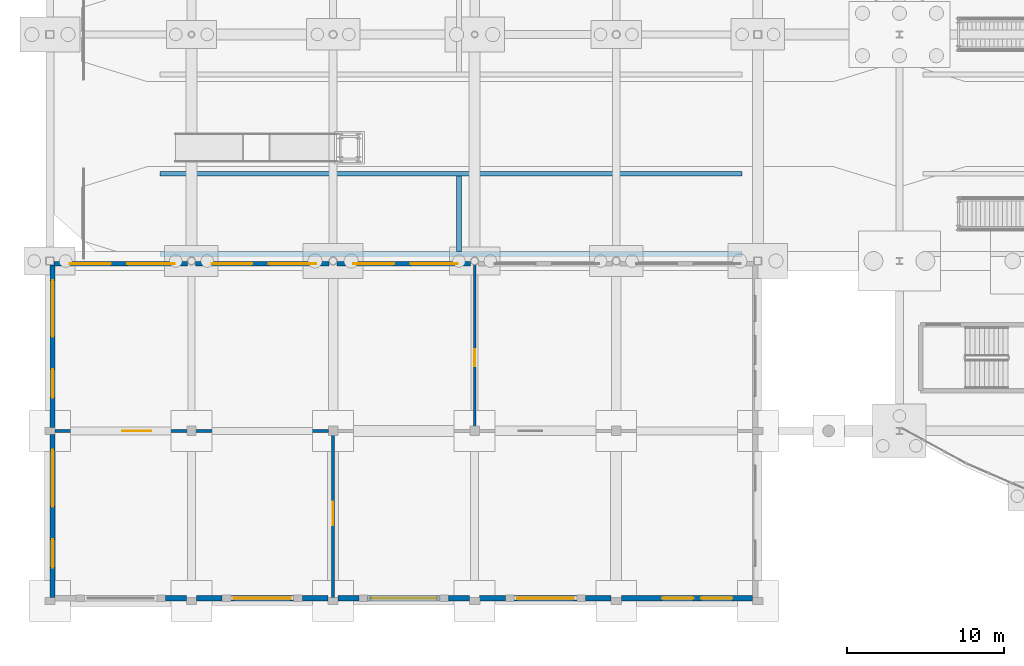
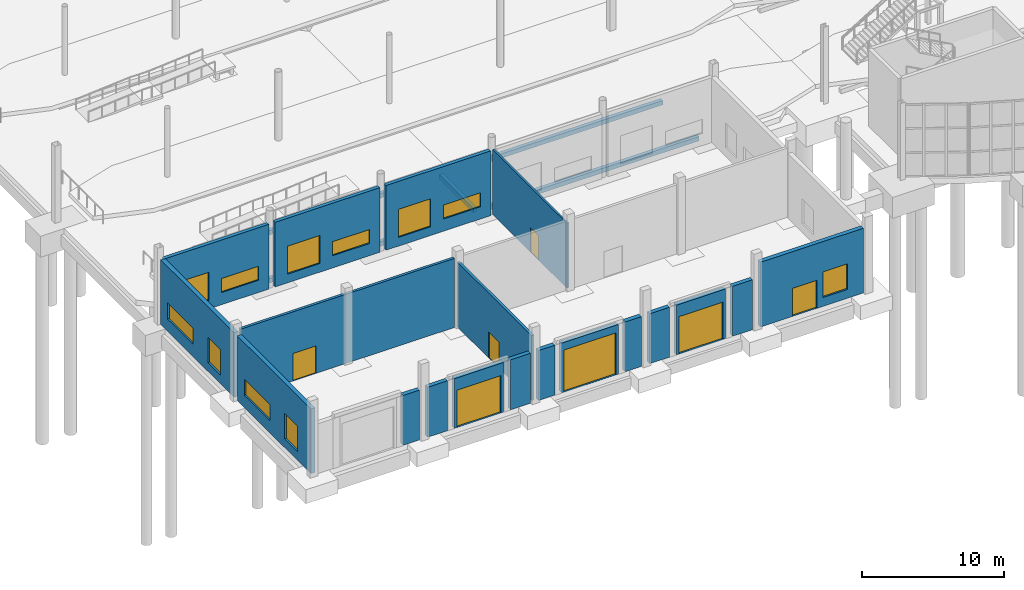
# One storey, part 85 of 115: 22 walls, 11 windows, 7 doors, 18 openings.
"""IFC4 building model written with IfcOpenShell, lengths in metres."""

from ifc_helpers import new_model, si_unit, direction, frame, frame_2d, origin, place, context, subcontext, project, spatial, rectangle, extrude, material, layer, layer_set, type_object, element, fill, save


model = new_model("IFC4")

# Units and contexts
model_context = context("Model", 3, precision=1e-05, world=origin(), true_north=direction((0.0, 1.0)))
body_context = subcontext(model_context, "Body", "Model", "MODEL_VIEW")
ifc_project = project(units=[si_unit("LENGTHUNIT", "METRE"), si_unit("AREAUNIT", "SQUARE_METRE"), si_unit("VOLUMEUNIT", "CUBIC_METRE"), si_unit("PLANEANGLEUNIT", "RADIAN"), si_unit("MASSUNIT", "GRAM", prefix="KILO")], contexts=[model_context])

# Site, building, storey
site_placement = place(None, origin())
site = spatial("IfcSite", under=ifc_project, at=site_placement, CompositionType="ELEMENT")
building_placement = place(site_placement, origin())
building = spatial("IfcBuilding", under=site, at=building_placement, Name="Tamarisk Ironworks Central Station", CompositionType="ELEMENT")
storey_placement = place(building_placement, origin())
storey = spatial("IfcBuildingStorey", under=building, at=storey_placement, Name="L00", CompositionType="ELEMENT", Elevation=0.0)

# Wall, openings, windows
ifc_material_1 = material(Name="Clay facing brickwork and mortar", Category="masonry")
ifc_layer_1 = layer(ifc_material_1, 0.280029296875)
ifc_layer_set_1 = layer_set([ifc_layer_1], Name="Clay facing brickwork and mortar")
wall_type_1 = type_object("IfcWallType", Name="WL-BR280", PredefinedType="STANDARD", material=ifc_layer_set_1)
wall_1_placement = place(storey_placement, frame((0.248046875, 21.429931640625, 0.0), z_axis=(0.0, 0.0, 1.0), x_axis=(1.0, 0.0, 0.0)))
wall_1 = element("IfcWall", 1, at=wall_1_placement, inside=storey, type_object=wall_type_1, Name="L00 brick facade wall 0018", PredefinedType="STANDARD", context=body_context, shape_type="SweptSolid", body=[
    extrude(rectangle(XDim=8.5, YDim=0.280029296875, at=frame_2d((4.25, 0.0))), origin(), (0.0, 0.0, 1.0), 5.550048828125),
])
opening_1_placement = place(wall_1_placement, frame((1.02490234375, 0.0, 0.75)))
opening_1 = element("IfcOpeningElement", 2, at=opening_1_placement, cuts=wall_1, Name="Opening W05", PredefinedType="OPENING", context=body_context, shape_type="SweptSolid", body=[
    extrude(rectangle(XDim=2.60009765625, YDim=2.39990234375, at=frame_2d((1.300048828125, 1.199951171875))), frame((0.0, 0.15185546875, 0.0), z_axis=(0.0, -1.0, 0.0), x_axis=(1.0, 0.0, 0.0)), (0.0, 0.0, 1.0), 0.303955078125),
])
opening_2_placement = place(wall_1_placement, frame((4.675048828125, 0.0, 1.050048828125)))
opening_2 = element("IfcOpeningElement", 3, at=opening_2_placement, cuts=wall_1, Name="Opening W16", PredefinedType="OPENING", context=body_context, shape_type="SweptSolid", body=[
    extrude(rectangle(XDim=3.0, YDim=1.199951171875, at=frame_2d((1.5, 0.60009765625))), frame((0.0, 0.15185546875, 0.0), z_axis=(0.0, -1.0, 0.0), x_axis=(1.0, 0.0, 0.0)), (0.0, 0.0, 1.0), 0.303955078125),
])
ifc_material_2 = material(Name="Laminated solar-control low-E glass", Category="glass")
window_type_1 = type_object("IfcWindowType", Name="WN-05", PartitioningType="SINGLE_PANEL", PredefinedType="WINDOW", material=ifc_material_2)
window_1_placement = place(opening_1_placement, origin())
window_1 = element("IfcWindow", 4, at=window_1_placement, inside=storey, type_object=window_type_1, Name="L00 exterior window 0010", OverallHeight=2.39990234375, OverallWidth=2.60009765625, PartitioningType="DOUBLE_PANEL_VERTICAL", PredefinedType="WINDOW", context=body_context, shape_type="SweptSolid", body=[
    extrude(rectangle(XDim=2.60009765625, YDim=2.39990234375, at=frame_2d((1.300048828125, 1.199951171875))), frame((0.0, 0.030029296875, 0.0), z_axis=(0.0, -1.0, 0.0), x_axis=(1.0, 0.0, 0.0)), (0.0, 0.0, 1.0), 0.06005859375),
])
fill(opening_1, window_1)
window_type_2 = type_object("IfcWindowType", Name="WN-16", PartitioningType="SINGLE_PANEL", PredefinedType="WINDOW", material=ifc_material_2)
window_2_placement = place(opening_2_placement, origin())
window_2 = element("IfcWindow", 5, at=window_2_placement, inside=storey, type_object=window_type_2, Name="L00 exterior window 0011", OverallHeight=1.199951171875, OverallWidth=3.0, PartitioningType="DOUBLE_PANEL_VERTICAL", PredefinedType="WINDOW", context=body_context, shape_type="SweptSolid", body=[
    extrude(rectangle(XDim=3.0, YDim=1.199951171875, at=frame_2d((1.5, 0.60009765625))), frame((0.0, 0.030029296875, 0.0), z_axis=(0.0, -1.0, 0.0), x_axis=(1.0, 0.0, 0.0)), (0.0, 0.0, 1.0), 0.06005859375),
])
fill(opening_2, window_2)

wall_2_placement = place(storey_placement, frame((9.251953125, 21.429931640625, 0.0), z_axis=(0.0, 0.0, 1.0), x_axis=(1.0, 0.0, 0.0)))
wall_2 = element("IfcWall", 6, at=wall_2_placement, inside=storey, type_object=wall_type_1, Name="L00 brick facade wall 0019", PredefinedType="STANDARD", context=body_context, shape_type="SweptSolid", body=[
    extrude(rectangle(XDim=8.49609375, YDim=0.280029296875, at=frame_2d((4.248046875, 0.0))), origin(), (0.0, 0.0, 1.0), 5.550048828125),
])
opening_3_placement = place(wall_2_placement, frame((1.02392578125, 0.0, 0.75)))
opening_3 = element("IfcOpeningElement", 7, at=opening_3_placement, cuts=wall_2, Name="Opening W05", PredefinedType="OPENING", context=body_context, shape_type="SweptSolid", body=[
    extrude(rectangle(XDim=2.60009765625, YDim=2.39990234375, at=frame_2d((1.300048828125, 1.199951171875))), frame((0.0, 0.15185546875, 0.0), z_axis=(0.0, -1.0, 0.0), x_axis=(1.0, 0.0, 0.0)), (0.0, 0.0, 1.0), 0.303955078125),
])
opening_4_placement = place(wall_2_placement, frame((4.672119140625, 0.0, 1.050048828125)))
opening_4 = element("IfcOpeningElement", 8, at=opening_4_placement, cuts=wall_2, Name="Opening W16", PredefinedType="OPENING", context=body_context, shape_type="SweptSolid", body=[
    extrude(rectangle(XDim=3.0, YDim=1.199951171875, at=frame_2d((1.5, 0.60009765625))), frame((0.0, 0.15185546875, 0.0), z_axis=(0.0, -1.0, 0.0), x_axis=(1.0, 0.0, 0.0)), (0.0, 0.0, 1.0), 0.303955078125),
])
window_3_placement = place(opening_3_placement, origin())
window_3 = element("IfcWindow", 9, at=window_3_placement, inside=storey, type_object=window_type_1, Name="L00 exterior window 0012", OverallHeight=2.39990234375, OverallWidth=2.60009765625, PartitioningType="DOUBLE_PANEL_VERTICAL", PredefinedType="WINDOW", context=body_context, shape_type="SweptSolid", body=[
    extrude(rectangle(XDim=2.60009765625, YDim=2.39990234375, at=frame_2d((1.300048828125, 1.199951171875))), frame((0.0, 0.030029296875, 0.0), z_axis=(0.0, -1.0, 0.0), x_axis=(1.0, 0.0, 0.0)), (0.0, 0.0, 1.0), 0.06005859375),
])
fill(opening_3, window_3)
window_4_placement = place(opening_4_placement, origin())
window_4 = element("IfcWindow", 10, at=window_4_placement, inside=storey, type_object=window_type_2, Name="L00 exterior window 0013", OverallHeight=1.199951171875, OverallWidth=3.0, PartitioningType="DOUBLE_PANEL_VERTICAL", PredefinedType="WINDOW", context=body_context, shape_type="SweptSolid", body=[
    extrude(rectangle(XDim=3.0, YDim=1.199951171875, at=frame_2d((1.5, 0.60009765625))), frame((0.0, 0.030029296875, 0.0), z_axis=(0.0, -1.0, 0.0), x_axis=(1.0, 0.0, 0.0)), (0.0, 0.0, 1.0), 0.06005859375),
])
fill(opening_4, window_4)

wall_3_placement = place(storey_placement, frame((18.251953125, 21.429931640625, 0.0), z_axis=(0.0, 0.0, 1.0), x_axis=(1.0, 0.0, 0.0)))
wall_3 = element("IfcWall", 11, at=wall_3_placement, inside=storey, type_object=wall_type_1, Name="L00 brick facade wall 0020", PredefinedType="STANDARD", context=body_context, shape_type="SweptSolid", body=[
    extrude(rectangle(XDim=8.49609375, YDim=0.280029296875, at=frame_2d((4.248046875, 0.0))), origin(), (0.0, 0.0, 1.0), 5.550048828125),
])
opening_5_placement = place(wall_3_placement, frame((1.02392578125, 0.0, 0.75)))
opening_5 = element("IfcOpeningElement", 12, at=opening_5_placement, cuts=wall_3, Name="Opening W05", PredefinedType="OPENING", context=body_context, shape_type="SweptSolid", body=[
    extrude(rectangle(XDim=2.60009765625, YDim=2.39990234375, at=frame_2d((1.300048828125, 1.199951171875))), frame((0.0, 0.15185546875, 0.0), z_axis=(0.0, -1.0, 0.0), x_axis=(1.0, 0.0, 0.0)), (0.0, 0.0, 1.0), 0.303955078125),
])
opening_6_placement = place(wall_3_placement, frame((4.672119140625, 0.0, 1.050048828125)))
opening_6 = element("IfcOpeningElement", 13, at=opening_6_placement, cuts=wall_3, Name="Opening W16", PredefinedType="OPENING", context=body_context, shape_type="SweptSolid", body=[
    extrude(rectangle(XDim=3.0, YDim=1.199951171875, at=frame_2d((1.5, 0.60009765625))), frame((0.0, 0.15185546875, 0.0), z_axis=(0.0, -1.0, 0.0), x_axis=(1.0, 0.0, 0.0)), (0.0, 0.0, 1.0), 0.303955078125),
])
window_5_placement = place(opening_5_placement, origin())
window_5 = element("IfcWindow", 14, at=window_5_placement, inside=storey, type_object=window_type_1, Name="L00 exterior window 0014", OverallHeight=2.39990234375, OverallWidth=2.60009765625, PartitioningType="DOUBLE_PANEL_VERTICAL", PredefinedType="WINDOW", context=body_context, shape_type="SweptSolid", body=[
    extrude(rectangle(XDim=2.60009765625, YDim=2.39990234375, at=frame_2d((1.300048828125, 1.199951171875))), frame((0.0, 0.030029296875, 0.0), z_axis=(0.0, -1.0, 0.0), x_axis=(1.0, 0.0, 0.0)), (0.0, 0.0, 1.0), 0.06005859375),
])
fill(opening_5, window_5)
window_6_placement = place(opening_6_placement, origin())
window_6 = element("IfcWindow", 15, at=window_6_placement, inside=storey, type_object=window_type_2, Name="L00 exterior window 0015", OverallHeight=1.199951171875, OverallWidth=3.0, PartitioningType="DOUBLE_PANEL_VERTICAL", PredefinedType="WINDOW", context=body_context, shape_type="SweptSolid", body=[
    extrude(rectangle(XDim=3.0, YDim=1.199951171875, at=frame_2d((1.5, 0.60009765625))), frame((0.0, 0.030029296875, 0.0), z_axis=(0.0, -1.0, 0.0), x_axis=(1.0, 0.0, 0.0)), (0.0, 0.0, 1.0), 0.06005859375),
])
fill(opening_6, window_6)

# Walls
ifc_layer_2 = layer(ifc_material_1, 0.340087890625)
ifc_layer_set_2 = layer_set([ifc_layer_2], Name="Clay facing brickwork and mortar")
wall_type_2 = type_object("IfcWallType", Name="WL-BR340", PredefinedType="STANDARD", material=ifc_layer_set_2)
wall_4_placement = place(storey_placement, frame((7.347900390625, 0.169921875, 0.0), z_axis=(0.0, 0.0, 1.0), x_axis=(1.0, 0.0, 0.0)))
element("IfcWall", 16, at=wall_4_placement, inside=storey, type_object=wall_type_2, Name="L00 brick facade wall 0002", PredefinedType="STANDARD", context=body_context, shape_type="SweptSolid", body=[
    extrude(rectangle(XDim=1.3291015625, YDim=0.340087890625, at=frame_2d((0.66455078125, 0.0))), origin(), (0.0, 0.0, 1.0), 4.280029296875),
])
for number, where, z_axis, x_axis, name in (
    (17, (9.322998046875, 0.169921875, 0.0), (0.0, 0.0, 1.0), (1.0, 0.0, 0.0), "L00 brick facade wall 0004"),
    (18, (16.048095703125, 0.169921875, 0.0), (0.0, 0.0, 1.0), (1.0, 0.0, 0.0), "L00 brick facade wall 0005"),
):
    element("IfcWall", number, at=place(storey_placement, frame(where, z_axis=z_axis, x_axis=x_axis)), inside=storey, type_object=wall_type_2, Name=name, PredefinedType="STANDARD", context=body_context, shape_type="SweptSolid", body=[
        extrude(rectangle(XDim=1.62890625, YDim=0.340087890625, at=frame_2d((0.814453125, 0.0))), origin(), (0.0, 0.0, 1.0), 4.280029296875),
    ])

# Wall, opening, door
wall_5_placement = place(storey_placement, frame((11.5, 0.169921875, 0.0), z_axis=(0.0, 0.0, 1.0), x_axis=(1.0, 0.0, 0.0)))
wall_5 = element("IfcWall", 19, at=wall_5_placement, inside=storey, type_object=wall_type_2, Name="L00 brick facade wall 0006", PredefinedType="STANDARD", context=body_context, shape_type="SweptSolid", body=[
    extrude(rectangle(XDim=4.0, YDim=0.340087890625, at=frame_2d((2.0, 0.0))), origin(), (0.0, 0.0, 1.0), 4.260009765625),
])
opening_7_placement = place(wall_5_placement, frame((0.199951171875, 0.0, 0.0048828125)))
opening_7 = element("IfcOpeningElement", 20, at=opening_7_placement, cuts=wall_5, Name="Opening SH02", PredefinedType="OPENING", context=body_context, shape_type="SweptSolid", body=[
    extrude(rectangle(XDim=3.60009765625, YDim=3.199951171875, at=frame_2d((1.800048828125, 1.60009765625))), frame((0.0, 0.18212890625, 0.0), z_axis=(0.0, -1.0, 0.0), x_axis=(1.0, 0.0, 0.0)), (0.0, 0.0, 1.0), 0.364013671875),
])
ifc_material_3 = material(Name="Galvanised roller-shutter steel", Category="steel")
door_type_1 = type_object("IfcDoorType", Name="DR-SH02", OperationType="NOTDEFINED", PredefinedType="GATE", material=ifc_material_3)
door_1_placement = place(opening_7_placement, origin())
door_1 = element("IfcDoor", 21, at=door_1_placement, inside=storey, type_object=door_type_1, Name="Service bay roller shutter 002", OperationType="ROLLINGUP", OverallHeight=3.199951171875, OverallWidth=3.60009765625, PredefinedType="GATE", context=body_context, shape_type="SweptSolid", body=[
    extrude(rectangle(XDim=3.60009765625, YDim=3.199951171875, at=frame_2d((1.800048828125, 1.60009765625))), frame((0.0, 0.02490234375, 0.0), z_axis=(0.0, -1.0, 0.0), x_axis=(1.0, 0.0, 0.0)), (0.0, 0.0, 1.0), 0.050048828125),
])
fill(opening_7, door_1)

# Walls
for number, where, z_axis, x_axis, name in (
    (22, (18.322998046875, 0.169921875, 0.0), (0.0, 0.0, 1.0), (1.0, 0.0, 0.0), "L00 brick facade wall 0007"),
    (23, (25.347900390625, 0.169921875, 0.0), (0.0, 0.0, 1.0), (1.0, 0.0, 0.0), "L00 brick facade wall 0008"),
):
    element("IfcWall", number, at=place(storey_placement, frame(where, z_axis=z_axis, x_axis=x_axis)), inside=storey, type_object=wall_type_2, Name=name, PredefinedType="STANDARD", context=body_context, shape_type="SweptSolid", body=[
        extrude(rectangle(XDim=1.3291015625, YDim=0.340087890625, at=frame_2d((0.66455078125, 0.0))), origin(), (0.0, 0.0, 1.0), 4.280029296875),
    ])

# Wall, opening, door
wall_6_placement = place(storey_placement, frame((20.199951171875, 0.169921875, 0.0), z_axis=(0.0, 0.0, 1.0), x_axis=(1.0, 0.0, 0.0)))
wall_6 = element("IfcWall", 24, at=wall_6_placement, inside=storey, type_object=wall_type_2, Name="L00 brick facade wall 0009", PredefinedType="STANDARD", context=body_context, shape_type="SweptSolid", body=[
    extrude(rectangle(XDim=4.60009765625, YDim=0.340087890625, at=frame_2d((2.300048828125, 0.0))), origin(), (0.0, 0.0, 1.0), 4.260009765625),
])
opening_8_placement = place(wall_6_placement, frame((0.199951171875, 0.0, 0.0048828125)))
opening_8 = element("IfcOpeningElement", 25, at=opening_8_placement, cuts=wall_6, Name="Opening SH01", PredefinedType="OPENING", context=body_context, shape_type="SweptSolid", body=[
    extrude(rectangle(XDim=4.199951171875, YDim=3.60009765625, at=frame_2d((2.10009765625, 1.800048828125))), frame((0.0, 0.18212890625, 0.0), z_axis=(0.0, -1.0, 0.0), x_axis=(1.0, 0.0, 0.0)), (0.0, 0.0, 1.0), 0.364013671875),
])
door_type_2 = type_object("IfcDoorType", Name="DR-SH01", OperationType="NOTDEFINED", PredefinedType="GATE", material=ifc_material_3)
door_2_placement = place(opening_8_placement, origin())
door_2 = element("IfcDoor", 26, at=door_2_placement, inside=storey, type_object=door_type_2, Name="Service bay roller shutter 003", OperationType="ROLLINGUP", OverallHeight=3.60009765625, OverallWidth=4.199951171875, PredefinedType="GATE", context=body_context, shape_type="SweptSolid", body=[
    extrude(rectangle(XDim=4.199951171875, YDim=3.60009765625, at=frame_2d((2.10009765625, 1.800048828125))), frame((0.0, 0.02490234375, 0.0), z_axis=(0.0, -1.0, 0.0), x_axis=(1.0, 0.0, 0.0)), (0.0, 0.0, 1.0), 0.050048828125),
])
fill(opening_8, door_2)

# Walls
for number, where, z_axis, x_axis, name in (
    (27, (27.322998046875, 0.169921875, 0.0), (0.0, 0.0, 1.0), (1.0, 0.0, 0.0), "L00 brick facade wall 0010"),
    (28, (34.048095703125, 0.169921875, 0.0), (0.0, 0.0, 1.0), (1.0, 0.0, 0.0), "L00 brick facade wall 0011"),
):
    element("IfcWall", number, at=place(storey_placement, frame(where, z_axis=z_axis, x_axis=x_axis)), inside=storey, type_object=wall_type_2, Name=name, PredefinedType="STANDARD", context=body_context, shape_type="SweptSolid", body=[
        extrude(rectangle(XDim=1.62890625, YDim=0.340087890625, at=frame_2d((0.814453125, 0.0))), origin(), (0.0, 0.0, 1.0), 4.280029296875),
    ])

# Wall, opening, door
wall_7_placement = place(storey_placement, frame((29.5, 0.169921875, 0.0), z_axis=(0.0, 0.0, 1.0), x_axis=(1.0, 0.0, 0.0)))
wall_7 = element("IfcWall", 29, at=wall_7_placement, inside=storey, type_object=wall_type_2, Name="L00 brick facade wall 0012", PredefinedType="STANDARD", context=body_context, shape_type="SweptSolid", body=[
    extrude(rectangle(XDim=4.0, YDim=0.340087890625, at=frame_2d((2.0, 0.0))), origin(), (0.0, 0.0, 1.0), 4.260009765625),
])
opening_9_placement = place(wall_7_placement, frame((0.199951171875, 0.0, 0.0048828125)))
opening_9 = element("IfcOpeningElement", 30, at=opening_9_placement, cuts=wall_7, Name="Opening SH02", PredefinedType="OPENING", context=body_context, shape_type="SweptSolid", body=[
    extrude(rectangle(XDim=3.60009765625, YDim=3.199951171875, at=frame_2d((1.800048828125, 1.60009765625))), frame((0.0, 0.18212890625, 0.0), z_axis=(0.0, -1.0, 0.0), x_axis=(1.0, 0.0, 0.0)), (0.0, 0.0, 1.0), 0.364013671875),
])
door_3_placement = place(opening_9_placement, origin())
door_3 = element("IfcDoor", 31, at=door_3_placement, inside=storey, type_object=door_type_1, Name="Service bay roller shutter 004", OperationType="ROLLINGUP", OverallHeight=3.199951171875, OverallWidth=3.60009765625, PredefinedType="GATE", context=body_context, shape_type="SweptSolid", body=[
    extrude(rectangle(XDim=3.60009765625, YDim=3.199951171875, at=frame_2d((1.800048828125, 1.60009765625))), frame((0.0, 0.02490234375, 0.0), z_axis=(0.0, -1.0, 0.0), x_axis=(1.0, 0.0, 0.0)), (0.0, 0.0, 1.0), 0.050048828125),
])
fill(opening_9, door_3)

# Wall, openings, door, window
wall_8_placement = place(storey_placement, frame((36.322998046875, 0.169921875, 0.0), z_axis=(0.0, 0.0, 1.0), x_axis=(1.0, 0.0, 0.0)))
wall_8 = element("IfcWall", 32, at=wall_8_placement, inside=storey, type_object=wall_type_2, Name="L00 brick facade wall 0013", PredefinedType="STANDARD", context=body_context, shape_type="SweptSolid", body=[
    extrude(rectangle(XDim=8.35400390625, YDim=0.340087890625, at=frame_2d((4.177001953125, 0.0))), origin(), (0.0, 0.0, 1.0), 5.550048828125),
])
opening_10_placement = place(wall_8_placement, frame((2.60009765625, 0.0, 0.0048828125)))
opening_10 = element("IfcOpeningElement", 33, at=opening_10_placement, cuts=wall_8, Name="Opening ED07", PredefinedType="OPENING", context=body_context, shape_type="SweptSolid", body=[
    extrude(rectangle(XDim=2.0, YDim=2.39990234375, at=frame_2d((1.0, 1.199951171875))), frame((0.0, 0.18212890625, 0.0), z_axis=(0.0, -1.0, 0.0), x_axis=(1.0, 0.0, 0.0)), (0.0, 0.0, 1.0), 0.364013671875),
])
opening_11_placement = place(wall_8_placement, frame((5.06494140625, 0.0, 0.75)))
opening_11 = element("IfcOpeningElement", 34, at=opening_11_placement, cuts=wall_8, Name="Opening W08", PredefinedType="OPENING", context=body_context, shape_type="SweptSolid", body=[
    extrude(rectangle(XDim=2.0, YDim=2.199951171875, at=frame_2d((1.0, 1.10009765625))), frame((0.0, 0.18212890625, 0.0), z_axis=(0.0, -1.0, 0.0), x_axis=(1.0, 0.0, 0.0)), (0.0, 0.0, 1.0), 0.364013671875),
])
ifc_material_4 = material(Name="Galvanised hollow-metal door steel", Category="steel")
door_type_3 = type_object("IfcDoorType", Name="DR-ED07", OperationType="NOTDEFINED", PredefinedType="DOOR", material=ifc_material_4)
door_4_placement = place(opening_10_placement, origin())
door_4 = element("IfcDoor", 35, at=door_4_placement, inside=storey, type_object=door_type_3, Name="L00 exterior entrance door 0005", OperationType="DOUBLE_DOOR_SINGLE_SWING", OverallHeight=2.39990234375, OverallWidth=2.0, PredefinedType="DOOR", context=body_context, shape_type="SweptSolid", body=[
    extrude(rectangle(XDim=2.0, YDim=2.39990234375, at=frame_2d((1.0, 1.199951171875))), frame((0.0, 0.02490234375, 0.0), z_axis=(0.0, -1.0, 0.0), x_axis=(1.0, 0.0, 0.0)), (0.0, 0.0, 1.0), 0.050048828125),
])
fill(opening_10, door_4)
window_type_3 = type_object("IfcWindowType", Name="WN-08", PartitioningType="SINGLE_PANEL", PredefinedType="WINDOW", material=ifc_material_2)
window_7_placement = place(opening_11_placement, origin())
window_7 = element("IfcWindow", 36, at=window_7_placement, inside=storey, type_object=window_type_3, Name="L00 exterior window 0001", OverallHeight=2.199951171875, OverallWidth=2.0, PartitioningType="DOUBLE_PANEL_VERTICAL", PredefinedType="WINDOW", context=body_context, shape_type="SweptSolid", body=[
    extrude(rectangle(XDim=2.0, YDim=2.199951171875, at=frame_2d((1.0, 1.10009765625))), frame((0.0, 0.030029296875, 0.0), z_axis=(0.0, -1.0, 0.0), x_axis=(1.0, 0.0, 0.0)), (0.0, 0.0, 1.0), 0.06005859375),
])
fill(opening_11, window_7)

# Wall, openings, windows
wall_9_placement = place(storey_placement, frame((0.169921875, 0.222900390625, 0.0), z_axis=(0.0, 0.0, 1.0), x_axis=(0.0, 1.0, 0.0)))
wall_9 = element("IfcWall", 37, at=wall_9_placement, inside=storey, type_object=wall_type_2, Name="L00 brick facade wall 0014", PredefinedType="STANDARD", context=body_context, shape_type="SweptSolid", body=[
    extrude(rectangle(XDim=10.35400390625, YDim=0.340087890625, at=frame_2d((5.177001953125, 0.0))), origin(), (0.0, 0.0, 1.0), 5.550048828125),
])
opening_12_placement = place(wall_9_placement, frame((1.887939453125, 0.0, 0.75)))
opening_12 = element("IfcOpeningElement", 38, at=opening_12_placement, cuts=wall_9, Name="Opening W09", PredefinedType="OPENING", context=body_context, shape_type="SweptSolid", body=[
    extrude(rectangle(XDim=1.800048828125, YDim=2.199951171875, at=frame_2d((0.89990234375, 1.10009765625))), frame((0.0, 0.18212890625, 0.0), z_axis=(0.0, -1.0, 0.0), x_axis=(1.0, 0.0, 0.0)), (0.0, 0.0, 1.0), 0.364013671875),
])
opening_13_placement = place(wall_9_placement, frame((5.764892578125, 0.0, 1.050048828125)))
opening_13 = element("IfcOpeningElement", 39, at=opening_13_placement, cuts=wall_9, Name="Opening W15", PredefinedType="OPENING", context=body_context, shape_type="SweptSolid", body=[
    extrude(rectangle(XDim=3.60009765625, YDim=1.39990234375, at=frame_2d((1.800048828125, 0.699951171875))), frame((0.0, 0.18212890625, 0.0), z_axis=(0.0, -1.0, 0.0), x_axis=(1.0, 0.0, 0.0)), (0.0, 0.0, 1.0), 0.364013671875),
])
window_type_4 = type_object("IfcWindowType", Name="WN-09", PartitioningType="SINGLE_PANEL", PredefinedType="WINDOW", material=ifc_material_2)
window_8_placement = place(opening_12_placement, origin())
window_8 = element("IfcWindow", 40, at=window_8_placement, inside=storey, type_object=window_type_4, Name="L00 exterior window 0002", OverallHeight=2.199951171875, OverallWidth=1.800048828125, PartitioningType="DOUBLE_PANEL_VERTICAL", PredefinedType="WINDOW", context=body_context, shape_type="SweptSolid", body=[
    extrude(rectangle(XDim=1.800048828125, YDim=2.199951171875, at=frame_2d((0.89990234375, 1.10009765625))), frame((0.0, 0.030029296875, 0.0), z_axis=(0.0, -1.0, 0.0), x_axis=(1.0, 0.0, 0.0)), (0.0, 0.0, 1.0), 0.06005859375),
])
fill(opening_12, window_8)
window_type_5 = type_object("IfcWindowType", Name="WN-15", PartitioningType="SINGLE_PANEL", PredefinedType="WINDOW", material=ifc_material_2)
window_9_placement = place(opening_13_placement, origin())
window_9 = element("IfcWindow", 41, at=window_9_placement, inside=storey, type_object=window_type_5, Name="L00 exterior window 0003", OverallHeight=1.39990234375, OverallWidth=3.60009765625, PartitioningType="DOUBLE_PANEL_VERTICAL", PredefinedType="WINDOW", context=body_context, shape_type="SweptSolid", body=[
    extrude(rectangle(XDim=3.60009765625, YDim=1.39990234375, at=frame_2d((1.800048828125, 0.699951171875))), frame((0.0, 0.030029296875, 0.0), z_axis=(0.0, -1.0, 0.0), x_axis=(1.0, 0.0, 0.0)), (0.0, 0.0, 1.0), 0.06005859375),
])
fill(opening_13, window_9)

wall_10_placement = place(storey_placement, frame((0.169921875, 11.02294921875, 0.0), z_axis=(0.0, 0.0, 1.0), x_axis=(0.0, 1.0, 0.0)))
wall_10 = element("IfcWall", 42, at=wall_10_placement, inside=storey, type_object=wall_type_2, Name="L00 brick facade wall 0016", PredefinedType="STANDARD", context=body_context, shape_type="SweptSolid", body=[
    extrude(rectangle(XDim=10.3291015625, YDim=0.340087890625, at=frame_2d((5.16455078125, 0.0))), origin(), (0.0, 0.0, 1.0), 5.550048828125),
])
opening_14_placement = place(wall_10_placement, frame((1.882080078125, 0.0, 0.75)))
opening_14 = element("IfcOpeningElement", 43, at=opening_14_placement, cuts=wall_10, Name="Opening W09", PredefinedType="OPENING", context=body_context, shape_type="SweptSolid", body=[
    extrude(rectangle(XDim=1.800048828125, YDim=2.199951171875, at=frame_2d((0.89990234375, 1.10009765625))), frame((0.0, 0.18212890625, 0.0), z_axis=(0.0, -1.0, 0.0), x_axis=(1.0, 0.0, 0.0)), (0.0, 0.0, 1.0), 0.364013671875),
])
opening_15_placement = place(wall_10_placement, frame((5.7470703125, 0.0, 1.050048828125)))
opening_15 = element("IfcOpeningElement", 44, at=opening_15_placement, cuts=wall_10, Name="Opening W15", PredefinedType="OPENING", context=body_context, shape_type="SweptSolid", body=[
    extrude(rectangle(XDim=3.60009765625, YDim=1.39990234375, at=frame_2d((1.800048828125, 0.699951171875))), frame((0.0, 0.18212890625, 0.0), z_axis=(0.0, -1.0, 0.0), x_axis=(1.0, 0.0, 0.0)), (0.0, 0.0, 1.0), 0.364013671875),
])
window_10_placement = place(opening_14_placement, origin())
window_10 = element("IfcWindow", 45, at=window_10_placement, inside=storey, type_object=window_type_4, Name="L00 exterior window 0006", OverallHeight=2.199951171875, OverallWidth=1.800048828125, PartitioningType="DOUBLE_PANEL_VERTICAL", PredefinedType="WINDOW", context=body_context, shape_type="SweptSolid", body=[
    extrude(rectangle(XDim=1.800048828125, YDim=2.199951171875, at=frame_2d((0.89990234375, 1.10009765625))), frame((0.0, 0.030029296875, 0.0), z_axis=(0.0, -1.0, 0.0), x_axis=(1.0, 0.0, 0.0)), (0.0, 0.0, 1.0), 0.06005859375),
])
fill(opening_14, window_10)
window_11_placement = place(opening_15_placement, origin())
window_11 = element("IfcWindow", 46, at=window_11_placement, inside=storey, type_object=window_type_5, Name="L00 exterior window 0007", OverallHeight=1.39990234375, OverallWidth=3.60009765625, PartitioningType="DOUBLE_PANEL_VERTICAL", PredefinedType="WINDOW", context=body_context, shape_type="SweptSolid", body=[
    extrude(rectangle(XDim=3.60009765625, YDim=1.39990234375, at=frame_2d((1.800048828125, 0.699951171875))), frame((0.0, 0.030029296875, 0.0), z_axis=(0.0, -1.0, 0.0), x_axis=(1.0, 0.0, 0.0)), (0.0, 0.0, 1.0), 0.06005859375),
])
fill(opening_15, window_11)

# Walls
ifc_material_5 = material(Name="Concrete C50/60", Category="concrete")
ifc_layer_3 = layer(ifc_material_5, 0.300048828125)
ifc_layer_set_3 = layer_set([ifc_layer_3], Name="Concrete C50/60")
wall_type_3 = type_object("IfcWallType", Name="WL-CW300", PredefinedType="SOLIDWALL", material=ifc_layer_set_3)
for number, where, z_axis, x_axis, name in (
    (47, (7.0, 22.050048828125, 0.0), (0.0, 0.0, 1.0), (1.0, 0.0, 0.0), "Platform P1 W structural plinth wall 001"),
    (48, (7.0, 27.14990234375, 0.0), (0.0, 0.0, 1.0), (1.0, 0.0, 0.0), "Platform P1 W structural plinth wall 002"),
):
    element("IfcWall", number, at=place(storey_placement, frame(where, z_axis=z_axis, x_axis=x_axis)), inside=storey, type_object=wall_type_3, Name=name, PredefinedType="SOLIDWALL", context=body_context, shape_type="SweptSolid", body=[
        extrude(rectangle(XDim=37.0, YDim=0.300048828125, at=frame_2d((18.5, 0.0))), origin(), (0.0, 0.0, 1.0), 0.375),
    ])
wall_11_placement = place(storey_placement, frame((26.0, 22.199951171875, 0.0), z_axis=(0.0, 0.0, 1.0), x_axis=(0.0, 1.0, 0.0)))
element("IfcWall", 49, at=wall_11_placement, inside=storey, type_object=wall_type_3, Name="Platform P1 W transverse diaphragm wall 003", PredefinedType="SOLIDWALL", context=body_context, shape_type="SweptSolid", body=[
    extrude(rectangle(XDim=4.800048828125, YDim=0.300048828125, at=frame_2d((2.39990234375, 0.0))), origin(), (0.0, 0.0, 1.0), 0.375),
])

# Wall, opening, door
ifc_material_6 = material(Name="Concrete C40/50", Category="concrete")
ifc_layer_4 = layer(ifc_material_6, 0.2099609375)
ifc_layer_set_4 = layer_set([ifc_layer_4], Name="Concrete C40/50")
wall_type_4 = type_object("IfcWallType", Name="WL-PL200", PredefinedType="PARTITIONING", material=ifc_layer_set_4)
wall_12_placement = place(storey_placement, frame((0.322998046875, 10.800048828125, 0.0), z_axis=(0.0, 0.0, 1.0), x_axis=(1.0, 0.0, 0.0)))
wall_12 = element("IfcWall", 50, at=wall_12_placement, inside=storey, type_object=wall_type_4, Name="L00 interior partition 0012", PredefinedType="PARTITIONING", context=body_context, shape_type="SweptSolid", body=[
    extrude(rectangle(XDim=17.37890625, YDim=0.2099609375, at=frame_2d((8.689453125, 0.0))), origin(), (0.0, 0.0, 1.0), 5.929931640625),
])
opening_16_placement = place(wall_12_placement, frame((4.277099609375, 0.0, 0.0048828125)))
opening_16 = element("IfcOpeningElement", 51, at=opening_16_placement, cuts=wall_12, Name="Opening PD01", PredefinedType="OPENING", context=body_context, shape_type="SweptSolid", body=[
    extrude(rectangle(XDim=1.85009765625, YDim=2.35009765625, at=frame_2d((0.925048828125, 1.175048828125))), frame((0.0, 0.116943359375, 0.0), z_axis=(0.0, -1.0, 0.0), x_axis=(1.0, 0.0, 0.0)), (0.0, 0.0, 1.0), 0.23388671875),
])
door_type_4 = type_object("IfcDoorType", Name="DR-PL01", OperationType="NOTDEFINED", PredefinedType="DOOR", material=ifc_material_4)
door_5_placement = place(opening_16_placement, origin())
door_5 = element("IfcDoor", 52, at=door_5_placement, inside=storey, type_object=door_type_4, Name="L00 room door 0009", OperationType="DOUBLE_DOOR_SINGLE_SWING", OverallHeight=2.35009765625, OverallWidth=1.85009765625, PredefinedType="DOOR", context=body_context, shape_type="SweptSolid", body=[
    extrude(rectangle(XDim=1.85009765625, YDim=2.35009765625, at=frame_2d((0.925048828125, 1.175048828125))), frame((0.0, 0.02490234375, 0.0), z_axis=(0.0, -1.0, 0.0), x_axis=(1.0, 0.0, 0.0)), (0.0, 0.0, 1.0), 0.050048828125),
])
fill(opening_16, door_5)

wall_13_placement = place(storey_placement, frame((18.0, 0.222900390625, 0.0), z_axis=(0.0, 0.0, 1.0), x_axis=(0.0, 1.0, 0.0)))
wall_13 = element("IfcWall", 53, at=wall_13_placement, inside=storey, type_object=wall_type_4, Name="L00 interior partition 0015", PredefinedType="PARTITIONING", context=body_context, shape_type="SweptSolid", body=[
    extrude(rectangle(XDim=10.47705078125, YDim=0.2099609375, at=frame_2d((5.238525390625, 0.0))), origin(), (0.0, 0.0, 1.0), 5.570068359375),
])
opening_17_placement = place(wall_13_placement, frame((4.576904296875, 0.0, 0.0048828125)))
opening_17 = element("IfcOpeningElement", 54, at=opening_17_placement, cuts=wall_13, Name="Opening PD02", PredefinedType="OPENING", context=body_context, shape_type="SweptSolid", body=[
    extrude(rectangle(XDim=1.5, YDim=2.25, at=frame_2d((0.75, 1.125))), frame((0.0, 0.116943359375, 0.0), z_axis=(0.0, -1.0, 0.0), x_axis=(1.0, 0.0, 0.0)), (0.0, 0.0, 1.0), 0.23388671875),
])
door_type_5 = type_object("IfcDoorType", Name="DR-PL02", OperationType="NOTDEFINED", PredefinedType="DOOR", material=ifc_material_4)
door_6_placement = place(opening_17_placement, origin())
door_6 = element("IfcDoor", 55, at=door_6_placement, inside=storey, type_object=door_type_5, Name="L00 room door 0012", OperationType="SINGLE_SWING_RIGHT", OverallHeight=2.25, OverallWidth=1.5, PredefinedType="DOOR", context=body_context, shape_type="SweptSolid", body=[
    extrude(rectangle(XDim=1.5, YDim=2.25, at=frame_2d((0.75, 1.125))), frame((0.0, 0.02490234375, 0.0), z_axis=(0.0, -1.0, 0.0), x_axis=(1.0, 0.0, 0.0)), (0.0, 0.0, 1.0), 0.050048828125),
])
fill(opening_17, door_6)

ifc_material_7 = material(Name="Gypsum plasterboard acoustic partition")
ifc_layer_5 = layer(ifc_material_7, 0.14990234375)
ifc_layer_set_5 = layer_set([ifc_layer_5], Name="Gypsum plasterboard acoustic partition")
wall_type_5 = type_object("IfcWallType", Name="WL-PT150", PredefinedType="PARTITIONING", material=ifc_layer_set_5)
wall_14_placement = place(storey_placement, frame((27.0, 10.903076171875, 0.0), z_axis=(0.0, 0.0, 1.0), x_axis=(0.0, 1.0, 0.0)))
wall_14 = element("IfcWall", 56, at=wall_14_placement, inside=storey, type_object=wall_type_5, Name="L00 interior partition 0014", PredefinedType="PARTITIONING", context=body_context, shape_type="SweptSolid", body=[
    extrude(rectangle(XDim=10.44482421875, YDim=0.14990234375, at=frame_2d((5.222412109375, 0.0))), origin(), (0.0, 0.0, 1.0), 5.570068359375),
])
opening_18_placement = place(wall_14_placement, frame((4.0029296875, 0.0, 0.0048828125)))
opening_18 = element("IfcOpeningElement", 57, at=opening_18_placement, cuts=wall_14, Name="Opening D05", PredefinedType="OPENING", context=body_context, shape_type="SweptSolid", body=[
    extrude(rectangle(XDim=1.10009765625, YDim=2.10009765625, at=frame_2d((0.550048828125, 1.050048828125))), frame((0.0, 0.0869140625, 0.0), z_axis=(0.0, -1.0, 0.0), x_axis=(1.0, 0.0, 0.0)), (0.0, 0.0, 1.0), 0.173828125),
])
ifc_material_8 = material(Name="FSC certified tropical hardwood timber", Category="wood")
door_type_6 = type_object("IfcDoorType", Name="DR-ID05", OperationType="NOTDEFINED", PredefinedType="DOOR", material=ifc_material_8)
door_7_placement = place(opening_18_placement, origin())
door_7 = element("IfcDoor", 58, at=door_7_placement, inside=storey, type_object=door_type_6, Name="L00 room door 0011", OperationType="SINGLE_SWING_LEFT", OverallHeight=2.10009765625, OverallWidth=1.10009765625, PredefinedType="DOOR", context=body_context, shape_type="SweptSolid", body=[
    extrude(rectangle(XDim=1.10009765625, YDim=2.10009765625, at=frame_2d((0.550048828125, 1.050048828125))), frame((0.0, 0.02490234375, 0.0), z_axis=(0.0, -1.0, 0.0), x_axis=(1.0, 0.0, 0.0)), (0.0, 0.0, 1.0), 0.050048828125),
])
fill(opening_18, door_7)

save(model, "model.ifc")
